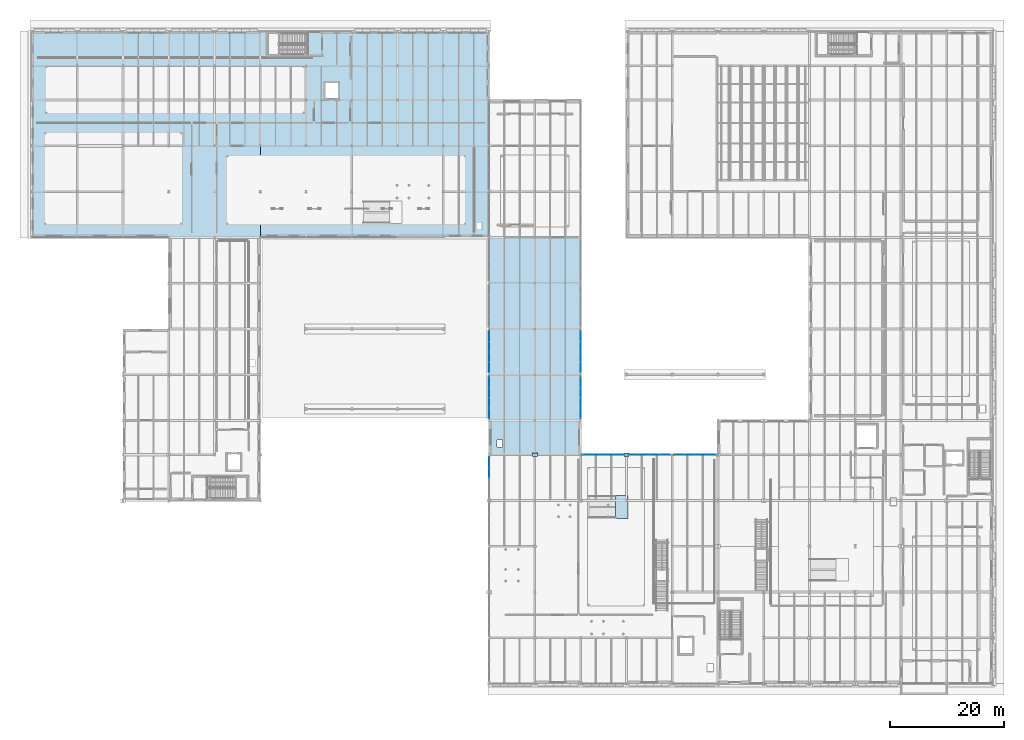
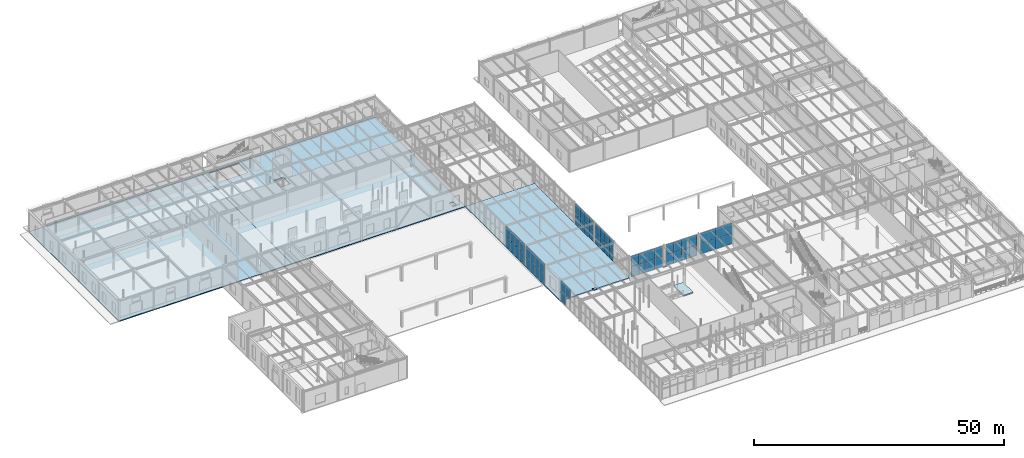
# One storey, part 61 of 129: 61 plates, 4 slabs, 9 elements without a shape of their own.
"""IFC4 building model written with IfcOpenShell, lengths in metres."""

import ifcopenshell
import ifcopenshell.guid

model = None  # the IFC model being written
_history = None  # IfcOwnerHistory: only IFC2X3 demands one
_inside = {}  # id of a spatial element -> (the spatial element, [elements in it])
_under = {}  # id of a project, library or spatial element -> (it, [spatial elements below it])
_declared = {}  # id of a project -> (the project, [libraries it declares])
_typed = {}  # id of a type object -> (the type object, [elements of that type])
_made_of = {}  # id of a material, layer set ... -> (it, [elements and type objects made of it])


def new_model(schema):
    """Start an empty IFC model of exactly this schema.

    Asked for "IFC4X3", IfcOpenShell would pick the latest addendum, in which some entities
    have other attributes; the version numbers below select the first issue.
    IFC2X3 requires an IfcOwnerHistory on every rooted entity: one is made here for all.
    """
    global model, _history
    if schema == "IFC4X3":
        model = ifcopenshell.file(schema_version=(4, 3, 0, 0))
    else:
        model = ifcopenshell.file(schema=schema)
    _inside.clear()
    _under.clear()
    _declared.clear()
    _typed.clear()
    _made_of.clear()
    _history = None
    if model.schema == "IFC2X3":
        org = make("IfcOrganization", Name="unknown")
        user = make(
            "IfcPersonAndOrganization",
            ThePerson=make("IfcPerson", FamilyName="unknown"),
            TheOrganization=org,
        )
        app = make(
            "IfcApplication",
            ApplicationDeveloper=org,
            Version="unknown",
            ApplicationFullName="unknown",
            ApplicationIdentifier="unknown",
        )
        _history = make(
            "IfcOwnerHistory",
            OwningUser=user,
            OwningApplication=app,
            ChangeAction="ADDED",
            CreationDate=0,
        )
    return model


def make(cls, **values):
    """One entity of the class cls with the attributes given. An attribute that is None is left unset."""
    return model.create_entity(
        cls, **{name: value for name, value in values.items() if value is not None}
    )


def rooted(cls, **values):
    """An entity with a GlobalId (a new one), such as an element, a storey or a relation."""
    return make(cls, GlobalId=ifcopenshell.guid.new(), OwnerHistory=_history, **values)


def si_unit(unit_type, name, prefix=None):
    """IfcSIUnit, for example si_unit("LENGTHUNIT", "METRE", prefix="MILLI")."""
    return make("IfcSIUnit", UnitType=unit_type, Prefix=prefix, Name=name)


def assignment(units):
    """IfcUnitAssignment: the units of a project."""
    return None if units is None else make("IfcUnitAssignment", Units=units)


def point(xyz):
    """IfcCartesianPoint."""
    return None if xyz is None else make("IfcCartesianPoint", Coordinates=xyz)


def direction(xyz):
    """IfcDirection."""
    return None if xyz is None else make("IfcDirection", DirectionRatios=xyz)


def frame(location, z_axis=None, x_axis=None):
    """IfcAxis2Placement3D, a coordinate frame: its origin and axes. An axis left out is left unset."""
    return make(
        "IfcAxis2Placement3D",
        Location=point(location),
        Axis=direction(z_axis),
        RefDirection=direction(x_axis),
    )


def frame_2d(location, x_axis=None):
    """IfcAxis2Placement2D, a coordinate frame in the plane: its origin and x axis."""
    return make(
        "IfcAxis2Placement2D", Location=point(location), RefDirection=direction(x_axis)
    )


def origin():
    """The frame at (0, 0, 0) with its axes left unset."""
    return frame((0.0, 0.0, 0.0))


def origin_2d():
    """The frame at (0, 0) in the plane with its x axis left unset."""
    return frame_2d((0.0, 0.0))


def place(relative_to, where):
    """IfcLocalPlacement: puts the frame where relative to a parent placement (None: the world)."""
    return make(
        "IfcLocalPlacement", PlacementRelTo=relative_to, RelativePlacement=where
    )


def context(
    kind, dimensions, precision=None, world=None, true_north=None, identifier=None
):
    """IfcGeometricRepresentationContext, for example the 3D "Model" context."""
    return make(
        "IfcGeometricRepresentationContext",
        ContextIdentifier=identifier,
        ContextType=kind,
        CoordinateSpaceDimension=dimensions,
        Precision=precision,
        WorldCoordinateSystem=world,
        TrueNorth=true_north,
    )


def subcontext(parent, identifier, kind, view, scale=None):
    """IfcGeometricRepresentationSubContext, for example "Body" below "Model"."""
    return make(
        "IfcGeometricRepresentationSubContext",
        ContextIdentifier=identifier,
        ContextType=kind,
        ParentContext=parent,
        TargetScale=scale,
        TargetView=view,
    )


def project(units=None, contexts=None):
    """IfcProject with its units and contexts."""
    return rooted(
        "IfcProject",
        Name="project",
        RepresentationContexts=contexts,
        UnitsInContext=assignment(units),
    )


def spatial(cls, under=None, at=None, **own):
    """A site, building, storey or space (cls), placed at a placement, below another one or the project."""
    s = rooted(cls, ObjectPlacement=at, **own)
    if under is not None:
        _under.setdefault(under.id(), (under, []))[1].append(s)
    return s


def polyline(points):
    """IfcPolyline through the points."""
    return make("IfcPolyline", Points=[point(p) for p in points])


def profile(cls, at=None, kind="AREA", **sizes):
    """A parametric profile (cls). Its sizes go by their IFC names, for example OverallWidth=200.0."""
    return make(cls, ProfileType=kind, Position=at, **sizes)


def rectangle(**sizes):
    """IfcRectangleProfileDef."""
    return profile("IfcRectangleProfileDef", **sizes)


def outline(outer, holes=None, kind="AREA"):
    """IfcArbitraryClosedProfileDef: a profile drawn as a closed curve; with holes, ...WithVoids."""
    if holes is None:
        return make("IfcArbitraryClosedProfileDef", ProfileType=kind, OuterCurve=outer)
    return make(
        "IfcArbitraryProfileDefWithVoids",
        ProfileType=kind,
        OuterCurve=outer,
        InnerCurves=holes,
    )


def extrude(swept, where, along, depth):
    """IfcExtrudedAreaSolid: the profile swept, set in the frame where, extruded along a direction by depth."""
    return make(
        "IfcExtrudedAreaSolid",
        SweptArea=swept,
        Position=where,
        ExtrudedDirection=direction(along),
        Depth=depth,
    )


def shape(context_of_items, identifier, shape_type, items):
    """IfcShapeRepresentation: the items that make up one representation, for example the "Body"."""
    return make(
        "IfcShapeRepresentation",
        ContextOfItems=context_of_items,
        RepresentationIdentifier=identifier,
        RepresentationType=shape_type,
        Items=items,
    )


def material(Name=None, Category=None):
    """IfcMaterial."""
    return make("IfcMaterial", Name=Name, Category=Category)


def layer(
    of_material, thickness, ventilated=None, Name=None, Category=None, Priority=None
):
    """IfcMaterialLayer: one layer of a wall or slab, of a material (None: an air gap)."""
    return make(
        "IfcMaterialLayer",
        Material=of_material,
        LayerThickness=thickness,
        IsVentilated=ventilated,
        Name=Name,
        Category=Category,
        Priority=Priority,
    )


def layer_set(layers, Name=None):
    """IfcMaterialLayerSet."""
    return make("IfcMaterialLayerSet", MaterialLayers=layers, LayerSetName=Name)


def made_of(thing, what):
    """Note that an element or type object is made of a material, layer set ...; save() writes the relation."""
    if what is not None:
        _made_of.setdefault(what.id(), (what, []))[1].append(thing)
    return thing


def type_object(cls, material=None, **own):
    """A type object (cls), such as IfcWallType, which elements share."""
    return made_of(rooted(cls, **own), material)


def element(
    cls,
    number,
    at=None,
    inside=None,
    cuts=None,
    type_object=None,
    material=None,
    context=None,
    identifier="Body",
    shape_type=None,
    held_by="IfcProductDefinitionShape",
    body=None,
    shapes=None,
    **own,
):
    """One element of the class cls, such as IfcWall. Its Tag is "e" and its number.

    at: its placement. inside: the storey or other place that contains it. cuts: it is an
    opening in that element (IfcRelVoidsElement). A single representation is given by context,
    identifier, shape_type and body (its items); several are given by shapes. held_by: the class
    of the entity that holds the representations. save() writes the other relations.
    """
    e = rooted(cls, Tag="e%d" % number, ObjectPlacement=at, **own)
    if body is not None:
        shapes = [shape(context, identifier, shape_type, body)]
    if shapes is not None:
        e.Representation = make(held_by, Representations=shapes)
    if inside is not None:
        _inside.setdefault(inside.id(), (inside, []))[1].append(e)
    if cuts is not None:
        rooted(
            "IfcRelVoidsElement", RelatingBuildingElement=cuts, RelatedOpeningElement=e
        )
    if type_object is not None:
        _typed.setdefault(type_object.id(), (type_object, []))[1].append(e)
    return made_of(e, material)


def aggregate(whole, parts):
    """IfcRelAggregates: a whole, such as a stair, and the parts it consists of."""
    return rooted("IfcRelAggregates", RelatingObject=whole, RelatedObjects=parts)


def save(model, path):
    """Write the relations noted so far, then the file.

    IfcRelAggregates (storeys below a building ...), IfcRelContainedInSpatialStructure (elements
    in a storey), IfcRelDefinesByType, IfcRelAssociatesMaterial and IfcRelDeclares: one each for
    every whole, place, type object, material and project.
    """
    for whole, parts in _under.values():
        aggregate(whole, parts)
    for where, things in _inside.values():
        rooted(
            "IfcRelContainedInSpatialStructure",
            RelatedElements=things,
            RelatingStructure=where,
        )
    for kind, things in _typed.values():
        rooted("IfcRelDefinesByType", RelatedObjects=things, RelatingType=kind)
    for what, things in _made_of.values():
        rooted("IfcRelAssociatesMaterial", RelatedObjects=things, RelatingMaterial=what)
    for by, libraries in _declared.values():
        rooted("IfcRelDeclares", RelatingContext=by, RelatedDefinitions=libraries)
    model.write(path)


model = new_model("IFC4")

# Units and contexts
model_context = context("Model", 3, precision=1e-05, world=origin(), true_north=direction((0.0, 1.0)))
body_context = subcontext(model_context, "Body", "Model", "MODEL_VIEW")
ifc_project = project(units=[si_unit("LENGTHUNIT", "METRE"), si_unit("AREAUNIT", "SQUARE_METRE"), si_unit("VOLUMEUNIT", "CUBIC_METRE"), si_unit("PLANEANGLEUNIT", "RADIAN"), si_unit("MASSUNIT", "GRAM", prefix="KILO")], contexts=[model_context])

# Site, building, storey
site_placement = place(None, origin())
site = spatial("IfcSite", under=ifc_project, at=site_placement, CompositionType="ELEMENT")
building_placement = place(site_placement, origin())
building = spatial("IfcBuilding", under=site, at=building_placement, Name="Sundkrona Museum", CompositionType="ELEMENT")
storey_placement = place(building_placement, origin())
storey = spatial("IfcBuildingStorey", under=building, at=storey_placement, Name="L00", CompositionType="ELEMENT", Elevation=0.0)

# Plates
ifc_material_1 = material(Name="Steel S355J2", Category="steel")
ifc_layer_1 = layer(ifc_material_1, 0.054931640625)
ifc_layer_set_1 = layer_set([ifc_layer_1], Name="Steel S355J2")
plate_type_1 = type_object("IfcPlateType", Name="BP-1", PredefinedType="USERDEFINED", material=ifc_layer_set_1)
for number, where, z_axis, x_axis, name in (
    (1, (88.0, 40.0, 0.0), (0.0, 0.0, 1.0), (1.0, 0.0, 0.0), "Column Base Plate F/12"),
    (2, (104.0, 40.0, 0.0), (0.0, 0.0, 1.0), (1.0, 0.0, 0.0), "Column Base Plate F/14"),
):
    element("IfcPlate", number, at=place(storey_placement, frame(where, z_axis=z_axis, x_axis=x_axis)), inside=storey, type_object=plate_type_1, Name=name, ObjectType="GUSSET PLATE", PredefinedType="USERDEFINED", context=body_context, shape_type="SweptSolid", body=[
        extrude(rectangle(XDim=0.840087890625, YDim=0.60009765625, at=origin_2d()), origin(), (0.0, 0.0, 1.0), 0.054931640625),
    ])

# Curtain wall, plates
ifc_material_2 = material(Name="Unitised Aluminium-Steel and Ceramic-Clad Curtain Walling", Category="steel")
curtain_wall_type_1 = type_object("IfcCurtainWallType", Name="CW-AT-72x50", PredefinedType="NOTDEFINED", material=ifc_material_2)
curtain_wall_1_placement = place(storey_placement, origin())
curtain_wall_1 = element("IfcCurtainWall", 3, at=curtain_wall_1_placement, inside=storey, type_object=curtain_wall_type_1, Name="L00 Curtain Wall CW-L00-024", PredefinedType="NOTDEFINED")
ifc_material_3 = material(Name="Triple Low-E Vision Glazing 32 mm", Category="glass")
ifc_layer_2 = layer(ifc_material_3, 0.031982421875)
ifc_layer_set_2 = layer_set([ifc_layer_2], Name="Triple Low-E Vision Glazing 32 mm")
plate_type_2 = type_object("IfcPlateType", Name="PN-GL-01", PredefinedType="CURTAIN_PANEL", material=ifc_layer_set_2)
plate_1_placement = place(storey_placement, frame((80.0, 36.89990234375, 2.56982421875), z_axis=(0.0, 0.0, 1.0), x_axis=(0.0, 1.0, 0.0)))
plate_1 = element("IfcPlate", 4, at=plate_1_placement, type_object=plate_type_2, Name="CW-L00-024 Panel 06", PredefinedType="CURTAIN_PANEL", context=body_context, shape_type="SweptSolid", body=[
    extrude(rectangle(XDim=1.800048828125, YDim=0.031982421875, at=origin_2d()), origin(), (0.0, 0.0, 1.0), 2.573974609375),
])
plate_2_placement = place(storey_placement, frame((80.0, 38.699951171875, -0.00390625), z_axis=(0.0, 0.0, 1.0), x_axis=(0.0, 1.0, 0.0)))
plate_2 = element("IfcPlate", 5, at=plate_2_placement, type_object=plate_type_2, Name="CW-L00-024 Panel 07", PredefinedType="CURTAIN_PANEL", context=body_context, shape_type="SweptSolid", body=[
    extrude(rectangle(XDim=1.800048828125, YDim=0.031982421875, at=origin_2d()), origin(), (0.0, 0.0, 1.0), 2.573974609375),
])
plate_3_placement = place(storey_placement, frame((80.0, 38.699951171875, 2.56982421875), z_axis=(0.0, 0.0, 1.0), x_axis=(0.0, 1.0, 0.0)))
plate_3 = element("IfcPlate", 6, at=plate_3_placement, type_object=plate_type_2, Name="CW-L00-024 Panel 08", PredefinedType="CURTAIN_PANEL", context=body_context, shape_type="SweptSolid", body=[
    extrude(rectangle(XDim=1.800048828125, YDim=0.031982421875, at=origin_2d()), origin(), (0.0, 0.0, 1.0), 2.573974609375),
])
aggregate(curtain_wall_1, [plate_1, plate_2, plate_3])

curtain_wall_2_placement = place(storey_placement, origin())
curtain_wall_2 = element("IfcCurtainWall", 7, at=curtain_wall_2_placement, inside=storey, type_object=curtain_wall_type_1, Name="L00 Curtain Wall CW-L00-025", PredefinedType="NOTDEFINED")
plate_4_placement = place(storey_placement, frame((97.300048828125, 40.0, -0.00390625), z_axis=(0.0, 0.0, 1.0), x_axis=(1.0, 0.0, 0.0)))
plate_4 = element("IfcPlate", 8, at=plate_4_placement, type_object=plate_type_2, Name="CW-L00-025 Panel 01", PredefinedType="CURTAIN_PANEL", context=body_context, shape_type="SweptSolid", body=[
    extrude(rectangle(XDim=1.800048828125, YDim=0.031982421875, at=origin_2d()), origin(), (0.0, 0.0, 1.0), 2.573974609375),
])
plate_5_placement = place(storey_placement, frame((97.300048828125, 40.0, 2.56982421875), z_axis=(0.0, 0.0, 1.0), x_axis=(1.0, 0.0, 0.0)))
plate_5 = element("IfcPlate", 9, at=plate_5_placement, type_object=plate_type_2, Name="CW-L00-025 Panel 02", PredefinedType="CURTAIN_PANEL", context=body_context, shape_type="SweptSolid", body=[
    extrude(rectangle(XDim=1.800048828125, YDim=0.031982421875, at=origin_2d()), origin(), (0.0, 0.0, 1.0), 2.573974609375),
])
plate_6_placement = place(storey_placement, frame((99.10009765625, 40.0, -0.00390625), z_axis=(0.0, 0.0, 1.0), x_axis=(1.0, 0.0, 0.0)))
plate_6 = element("IfcPlate", 10, at=plate_6_placement, type_object=plate_type_2, Name="CW-L00-025 Panel 03", PredefinedType="CURTAIN_PANEL", context=body_context, shape_type="SweptSolid", body=[
    extrude(rectangle(XDim=1.800048828125, YDim=0.031982421875, at=origin_2d()), origin(), (0.0, 0.0, 1.0), 2.573974609375),
])
plate_7_placement = place(storey_placement, frame((99.10009765625, 40.0, 2.56982421875), z_axis=(0.0, 0.0, 1.0), x_axis=(1.0, 0.0, 0.0)))
plate_7 = element("IfcPlate", 11, at=plate_7_placement, type_object=plate_type_2, Name="CW-L00-025 Panel 04", PredefinedType="CURTAIN_PANEL", context=body_context, shape_type="SweptSolid", body=[
    extrude(rectangle(XDim=1.800048828125, YDim=0.031982421875, at=origin_2d()), origin(), (0.0, 0.0, 1.0), 2.573974609375),
])
plate_8_placement = place(storey_placement, frame((100.89990234375, 40.0, -0.00390625), z_axis=(0.0, 0.0, 1.0), x_axis=(1.0, 0.0, 0.0)))
plate_8 = element("IfcPlate", 12, at=plate_8_placement, type_object=plate_type_2, Name="CW-L00-025 Panel 05", PredefinedType="CURTAIN_PANEL", context=body_context, shape_type="SweptSolid", body=[
    extrude(rectangle(XDim=1.800048828125, YDim=0.031982421875, at=origin_2d()), origin(), (0.0, 0.0, 1.0), 2.573974609375),
])
plate_9_placement = place(storey_placement, frame((100.89990234375, 40.0, 2.56982421875), z_axis=(0.0, 0.0, 1.0), x_axis=(1.0, 0.0, 0.0)))
plate_9 = element("IfcPlate", 13, at=plate_9_placement, type_object=plate_type_2, Name="CW-L00-025 Panel 06", PredefinedType="CURTAIN_PANEL", context=body_context, shape_type="SweptSolid", body=[
    extrude(rectangle(XDim=1.800048828125, YDim=0.031982421875, at=origin_2d()), origin(), (0.0, 0.0, 1.0), 2.573974609375),
])
plate_10_placement = place(storey_placement, frame((102.699951171875, 40.0, -0.00390625), z_axis=(0.0, 0.0, 1.0), x_axis=(1.0, 0.0, 0.0)))
plate_10 = element("IfcPlate", 14, at=plate_10_placement, type_object=plate_type_2, Name="CW-L00-025 Panel 07", PredefinedType="CURTAIN_PANEL", context=body_context, shape_type="SweptSolid", body=[
    extrude(rectangle(XDim=1.800048828125, YDim=0.031982421875, at=origin_2d()), origin(), (0.0, 0.0, 1.0), 2.573974609375),
])
plate_11_placement = place(storey_placement, frame((102.699951171875, 40.0, 2.56982421875), z_axis=(0.0, 0.0, 1.0), x_axis=(1.0, 0.0, 0.0)))
plate_11 = element("IfcPlate", 15, at=plate_11_placement, type_object=plate_type_2, Name="CW-L00-025 Panel 08", PredefinedType="CURTAIN_PANEL", context=body_context, shape_type="SweptSolid", body=[
    extrude(rectangle(XDim=1.800048828125, YDim=0.031982421875, at=origin_2d()), origin(), (0.0, 0.0, 1.0), 2.573974609375),
])
aggregate(curtain_wall_2, [plate_4, plate_5, plate_6, plate_7, plate_8, plate_9, plate_10, plate_11])

curtain_wall_3_placement = place(storey_placement, origin())
curtain_wall_3 = element("IfcCurtainWall", 16, at=curtain_wall_3_placement, inside=storey, type_object=curtain_wall_type_1, Name="L00 Curtain Wall CW-L00-026", PredefinedType="NOTDEFINED")
plate_12_placement = place(storey_placement, frame((105.300048828125, 40.0, -0.00390625), z_axis=(0.0, 0.0, 1.0), x_axis=(1.0, 0.0, 0.0)))
plate_12 = element("IfcPlate", 17, at=plate_12_placement, type_object=plate_type_2, Name="CW-L00-026 Panel 01", PredefinedType="CURTAIN_PANEL", context=body_context, shape_type="SweptSolid", body=[
    extrude(rectangle(XDim=1.800048828125, YDim=0.031982421875, at=origin_2d()), origin(), (0.0, 0.0, 1.0), 2.573974609375),
])
plate_13_placement = place(storey_placement, frame((105.300048828125, 40.0, 2.56982421875), z_axis=(0.0, 0.0, 1.0), x_axis=(1.0, 0.0, 0.0)))
plate_13 = element("IfcPlate", 18, at=plate_13_placement, type_object=plate_type_2, Name="CW-L00-026 Panel 02", PredefinedType="CURTAIN_PANEL", context=body_context, shape_type="SweptSolid", body=[
    extrude(rectangle(XDim=1.800048828125, YDim=0.031982421875, at=origin_2d()), origin(), (0.0, 0.0, 1.0), 2.573974609375),
])
plate_14_placement = place(storey_placement, frame((107.10009765625, 40.0, -0.00390625), z_axis=(0.0, 0.0, 1.0), x_axis=(1.0, 0.0, 0.0)))
plate_14 = element("IfcPlate", 19, at=plate_14_placement, type_object=plate_type_2, Name="CW-L00-026 Panel 03", PredefinedType="CURTAIN_PANEL", context=body_context, shape_type="SweptSolid", body=[
    extrude(rectangle(XDim=1.800048828125, YDim=0.031982421875, at=origin_2d()), origin(), (0.0, 0.0, 1.0), 2.573974609375),
])
plate_15_placement = place(storey_placement, frame((107.10009765625, 40.0, 2.56982421875), z_axis=(0.0, 0.0, 1.0), x_axis=(1.0, 0.0, 0.0)))
plate_15 = element("IfcPlate", 20, at=plate_15_placement, type_object=plate_type_2, Name="CW-L00-026 Panel 04", PredefinedType="CURTAIN_PANEL", context=body_context, shape_type="SweptSolid", body=[
    extrude(rectangle(XDim=1.800048828125, YDim=0.031982421875, at=origin_2d()), origin(), (0.0, 0.0, 1.0), 2.573974609375),
])
plate_16_placement = place(storey_placement, frame((108.89990234375, 40.0, -0.00390625), z_axis=(0.0, 0.0, 1.0), x_axis=(1.0, 0.0, 0.0)))
plate_16 = element("IfcPlate", 21, at=plate_16_placement, type_object=plate_type_2, Name="CW-L00-026 Panel 05", PredefinedType="CURTAIN_PANEL", context=body_context, shape_type="SweptSolid", body=[
    extrude(rectangle(XDim=1.800048828125, YDim=0.031982421875, at=origin_2d()), origin(), (0.0, 0.0, 1.0), 2.573974609375),
])
plate_17_placement = place(storey_placement, frame((108.89990234375, 40.0, 2.56982421875), z_axis=(0.0, 0.0, 1.0), x_axis=(1.0, 0.0, 0.0)))
plate_17 = element("IfcPlate", 22, at=plate_17_placement, type_object=plate_type_2, Name="CW-L00-026 Panel 06", PredefinedType="CURTAIN_PANEL", context=body_context, shape_type="SweptSolid", body=[
    extrude(rectangle(XDim=1.800048828125, YDim=0.031982421875, at=origin_2d()), origin(), (0.0, 0.0, 1.0), 2.573974609375),
])
plate_18_placement = place(storey_placement, frame((110.699951171875, 40.0, -0.00390625), z_axis=(0.0, 0.0, 1.0), x_axis=(1.0, 0.0, 0.0)))
plate_18 = element("IfcPlate", 23, at=plate_18_placement, type_object=plate_type_2, Name="CW-L00-026 Panel 07", PredefinedType="CURTAIN_PANEL", context=body_context, shape_type="SweptSolid", body=[
    extrude(rectangle(XDim=1.800048828125, YDim=0.031982421875, at=origin_2d()), origin(), (0.0, 0.0, 1.0), 2.573974609375),
])
plate_19_placement = place(storey_placement, frame((110.699951171875, 40.0, 2.56982421875), z_axis=(0.0, 0.0, 1.0), x_axis=(1.0, 0.0, 0.0)))
plate_19 = element("IfcPlate", 24, at=plate_19_placement, type_object=plate_type_2, Name="CW-L00-026 Panel 08", PredefinedType="CURTAIN_PANEL", context=body_context, shape_type="SweptSolid", body=[
    extrude(rectangle(XDim=1.800048828125, YDim=0.031982421875, at=origin_2d()), origin(), (0.0, 0.0, 1.0), 2.573974609375),
])
aggregate(curtain_wall_3, [plate_12, plate_13, plate_14, plate_15, plate_16, plate_17, plate_18, plate_19])

curtain_wall_4_placement = place(storey_placement, origin())
curtain_wall_4 = element("IfcCurtainWall", 25, at=curtain_wall_4_placement, inside=storey, type_object=curtain_wall_type_1, Name="L00 Curtain Wall CW-L00-027", PredefinedType="NOTDEFINED")
plate_20_placement = place(storey_placement, frame((113.300048828125, 40.0, -0.00390625), z_axis=(0.0, 0.0, 1.0), x_axis=(1.0, 0.0, 0.0)))
plate_20 = element("IfcPlate", 26, at=plate_20_placement, type_object=plate_type_2, Name="CW-L00-027 Panel 01", PredefinedType="CURTAIN_PANEL", context=body_context, shape_type="SweptSolid", body=[
    extrude(rectangle(XDim=1.800048828125, YDim=0.031982421875, at=origin_2d()), origin(), (0.0, 0.0, 1.0), 2.573974609375),
])
plate_21_placement = place(storey_placement, frame((113.300048828125, 40.0, 2.56982421875), z_axis=(0.0, 0.0, 1.0), x_axis=(1.0, 0.0, 0.0)))
plate_21 = element("IfcPlate", 27, at=plate_21_placement, type_object=plate_type_2, Name="CW-L00-027 Panel 02", PredefinedType="CURTAIN_PANEL", context=body_context, shape_type="SweptSolid", body=[
    extrude(rectangle(XDim=1.800048828125, YDim=0.031982421875, at=origin_2d()), origin(), (0.0, 0.0, 1.0), 2.573974609375),
])
plate_22_placement = place(storey_placement, frame((115.10009765625, 40.0, -0.00390625), z_axis=(0.0, 0.0, 1.0), x_axis=(1.0, 0.0, 0.0)))
plate_22 = element("IfcPlate", 28, at=plate_22_placement, type_object=plate_type_2, Name="CW-L00-027 Panel 03", PredefinedType="CURTAIN_PANEL", context=body_context, shape_type="SweptSolid", body=[
    extrude(rectangle(XDim=1.800048828125, YDim=0.031982421875, at=origin_2d()), origin(), (0.0, 0.0, 1.0), 2.573974609375),
])
plate_23_placement = place(storey_placement, frame((115.10009765625, 40.0, 2.56982421875), z_axis=(0.0, 0.0, 1.0), x_axis=(1.0, 0.0, 0.0)))
plate_23 = element("IfcPlate", 29, at=plate_23_placement, type_object=plate_type_2, Name="CW-L00-027 Panel 04", PredefinedType="CURTAIN_PANEL", context=body_context, shape_type="SweptSolid", body=[
    extrude(rectangle(XDim=1.800048828125, YDim=0.031982421875, at=origin_2d()), origin(), (0.0, 0.0, 1.0), 2.573974609375),
])
plate_24_placement = place(storey_placement, frame((116.89990234375, 40.0, -0.00390625), z_axis=(0.0, 0.0, 1.0), x_axis=(1.0, 0.0, 0.0)))
plate_24 = element("IfcPlate", 30, at=plate_24_placement, type_object=plate_type_2, Name="CW-L00-027 Panel 05", PredefinedType="CURTAIN_PANEL", context=body_context, shape_type="SweptSolid", body=[
    extrude(rectangle(XDim=1.800048828125, YDim=0.031982421875, at=origin_2d()), origin(), (0.0, 0.0, 1.0), 2.573974609375),
])
plate_25_placement = place(storey_placement, frame((116.89990234375, 40.0, 2.56982421875), z_axis=(0.0, 0.0, 1.0), x_axis=(1.0, 0.0, 0.0)))
plate_25 = element("IfcPlate", 31, at=plate_25_placement, type_object=plate_type_2, Name="CW-L00-027 Panel 06", PredefinedType="CURTAIN_PANEL", context=body_context, shape_type="SweptSolid", body=[
    extrude(rectangle(XDim=1.800048828125, YDim=0.031982421875, at=origin_2d()), origin(), (0.0, 0.0, 1.0), 2.573974609375),
])
plate_26_placement = place(storey_placement, frame((118.699951171875, 40.0, -0.00390625), z_axis=(0.0, 0.0, 1.0), x_axis=(1.0, 0.0, 0.0)))
plate_26 = element("IfcPlate", 32, at=plate_26_placement, type_object=plate_type_2, Name="CW-L00-027 Panel 07", PredefinedType="CURTAIN_PANEL", context=body_context, shape_type="SweptSolid", body=[
    extrude(rectangle(XDim=1.800048828125, YDim=0.031982421875, at=origin_2d()), origin(), (0.0, 0.0, 1.0), 2.573974609375),
])
plate_27_placement = place(storey_placement, frame((118.699951171875, 40.0, 2.56982421875), z_axis=(0.0, 0.0, 1.0), x_axis=(1.0, 0.0, 0.0)))
plate_27 = element("IfcPlate", 33, at=plate_27_placement, type_object=plate_type_2, Name="CW-L00-027 Panel 08", PredefinedType="CURTAIN_PANEL", context=body_context, shape_type="SweptSolid", body=[
    extrude(rectangle(XDim=1.800048828125, YDim=0.031982421875, at=origin_2d()), origin(), (0.0, 0.0, 1.0), 2.573974609375),
])
aggregate(curtain_wall_4, [plate_20, plate_21, plate_22, plate_23, plate_24, plate_25, plate_26, plate_27])

curtain_wall_type_2 = type_object("IfcCurtainWallType", Name="CW-PS-74x48", PredefinedType="NOTDEFINED", material=ifc_material_2)
curtain_wall_5_placement = place(storey_placement, origin())
curtain_wall_5 = element("IfcCurtainWall", 34, at=curtain_wall_5_placement, inside=storey, type_object=curtain_wall_type_2, Name="L00 Curtain Wall CW-L00-094", PredefinedType="NOTDEFINED")
plate_28_placement = place(storey_placement, frame((80.0, 47.300048828125, -0.00390625), z_axis=(0.0, 0.0, 1.0), x_axis=(0.0, 1.0, 0.0)))
plate_28 = element("IfcPlate", 35, at=plate_28_placement, type_object=plate_type_2, Name="CW-L00-094 Panel 01", PredefinedType="CURTAIN_PANEL", context=body_context, shape_type="SweptSolid", body=[
    extrude(rectangle(XDim=1.800048828125, YDim=0.031982421875, at=origin_2d()), origin(), (0.0, 0.0, 1.0), 2.573974609375),
])
plate_29_placement = place(storey_placement, frame((80.0, 47.300048828125, 2.56982421875), z_axis=(0.0, 0.0, 1.0), x_axis=(0.0, 1.0, 0.0)))
plate_29 = element("IfcPlate", 36, at=plate_29_placement, type_object=plate_type_2, Name="CW-L00-094 Panel 02", PredefinedType="CURTAIN_PANEL", context=body_context, shape_type="SweptSolid", body=[
    extrude(rectangle(XDim=1.800048828125, YDim=0.031982421875, at=origin_2d()), origin(), (0.0, 0.0, 1.0), 2.573974609375),
])
plate_30_placement = place(storey_placement, frame((80.0, 49.10009765625, -0.00390625), z_axis=(0.0, 0.0, 1.0), x_axis=(0.0, 1.0, 0.0)))
plate_30 = element("IfcPlate", 37, at=plate_30_placement, type_object=plate_type_2, Name="CW-L00-094 Panel 03", PredefinedType="CURTAIN_PANEL", context=body_context, shape_type="SweptSolid", body=[
    extrude(rectangle(XDim=1.800048828125, YDim=0.031982421875, at=origin_2d()), origin(), (0.0, 0.0, 1.0), 2.573974609375),
])
plate_31_placement = place(storey_placement, frame((80.0, 49.10009765625, 2.56982421875), z_axis=(0.0, 0.0, 1.0), x_axis=(0.0, 1.0, 0.0)))
plate_31 = element("IfcPlate", 38, at=plate_31_placement, type_object=plate_type_2, Name="CW-L00-094 Panel 04", PredefinedType="CURTAIN_PANEL", context=body_context, shape_type="SweptSolid", body=[
    extrude(rectangle(XDim=1.800048828125, YDim=0.031982421875, at=origin_2d()), origin(), (0.0, 0.0, 1.0), 2.573974609375),
])
plate_32_placement = place(storey_placement, frame((80.0, 50.89990234375, -0.00390625), z_axis=(0.0, 0.0, 1.0), x_axis=(0.0, 1.0, 0.0)))
plate_32 = element("IfcPlate", 39, at=plate_32_placement, type_object=plate_type_2, Name="CW-L00-094 Panel 05", PredefinedType="CURTAIN_PANEL", context=body_context, shape_type="SweptSolid", body=[
    extrude(rectangle(XDim=1.800048828125, YDim=0.031982421875, at=origin_2d()), origin(), (0.0, 0.0, 1.0), 2.573974609375),
])
plate_33_placement = place(storey_placement, frame((80.0, 50.89990234375, 2.56982421875), z_axis=(0.0, 0.0, 1.0), x_axis=(0.0, 1.0, 0.0)))
plate_33 = element("IfcPlate", 40, at=plate_33_placement, type_object=plate_type_2, Name="CW-L00-094 Panel 06", PredefinedType="CURTAIN_PANEL", context=body_context, shape_type="SweptSolid", body=[
    extrude(rectangle(XDim=1.800048828125, YDim=0.031982421875, at=origin_2d()), origin(), (0.0, 0.0, 1.0), 2.573974609375),
])
plate_34_placement = place(storey_placement, frame((80.0, 52.699951171875, -0.00390625), z_axis=(0.0, 0.0, 1.0), x_axis=(0.0, 1.0, 0.0)))
plate_34 = element("IfcPlate", 41, at=plate_34_placement, type_object=plate_type_2, Name="CW-L00-094 Panel 07", PredefinedType="CURTAIN_PANEL", context=body_context, shape_type="SweptSolid", body=[
    extrude(rectangle(XDim=1.800048828125, YDim=0.031982421875, at=origin_2d()), origin(), (0.0, 0.0, 1.0), 2.573974609375),
])
plate_35_placement = place(storey_placement, frame((80.0, 52.699951171875, 2.56982421875), z_axis=(0.0, 0.0, 1.0), x_axis=(0.0, 1.0, 0.0)))
plate_35 = element("IfcPlate", 42, at=plate_35_placement, type_object=plate_type_2, Name="CW-L00-094 Panel 08", PredefinedType="CURTAIN_PANEL", context=body_context, shape_type="SweptSolid", body=[
    extrude(rectangle(XDim=1.800048828125, YDim=0.031982421875, at=origin_2d()), origin(), (0.0, 0.0, 1.0), 2.573974609375),
])
aggregate(curtain_wall_5, [plate_28, plate_29, plate_30, plate_31, plate_32, plate_33, plate_34, plate_35])

curtain_wall_6_placement = place(storey_placement, origin())
curtain_wall_6 = element("IfcCurtainWall", 43, at=curtain_wall_6_placement, inside=storey, type_object=curtain_wall_type_2, Name="L00 Curtain Wall CW-L00-095", PredefinedType="NOTDEFINED")
plate_36_placement = place(storey_placement, frame((96.0, 47.300048828125, -0.00390625), z_axis=(0.0, 0.0, 1.0), x_axis=(0.0, 1.0, 0.0)))
plate_36 = element("IfcPlate", 44, at=plate_36_placement, type_object=plate_type_2, Name="CW-L00-095 Panel 01", PredefinedType="CURTAIN_PANEL", context=body_context, shape_type="SweptSolid", body=[
    extrude(rectangle(XDim=1.800048828125, YDim=0.031982421875, at=origin_2d()), origin(), (0.0, 0.0, 1.0), 2.573974609375),
])
plate_37_placement = place(storey_placement, frame((96.0, 47.300048828125, 2.56982421875), z_axis=(0.0, 0.0, 1.0), x_axis=(0.0, 1.0, 0.0)))
plate_37 = element("IfcPlate", 45, at=plate_37_placement, type_object=plate_type_2, Name="CW-L00-095 Panel 02", PredefinedType="CURTAIN_PANEL", context=body_context, shape_type="SweptSolid", body=[
    extrude(rectangle(XDim=1.800048828125, YDim=0.031982421875, at=origin_2d()), origin(), (0.0, 0.0, 1.0), 2.573974609375),
])
plate_38_placement = place(storey_placement, frame((96.0, 49.10009765625, -0.00390625), z_axis=(0.0, 0.0, 1.0), x_axis=(0.0, 1.0, 0.0)))
plate_38 = element("IfcPlate", 46, at=plate_38_placement, type_object=plate_type_2, Name="CW-L00-095 Panel 03", PredefinedType="CURTAIN_PANEL", context=body_context, shape_type="SweptSolid", body=[
    extrude(rectangle(XDim=1.800048828125, YDim=0.031982421875, at=origin_2d()), origin(), (0.0, 0.0, 1.0), 2.573974609375),
])
plate_39_placement = place(storey_placement, frame((96.0, 49.10009765625, 2.56982421875), z_axis=(0.0, 0.0, 1.0), x_axis=(0.0, 1.0, 0.0)))
plate_39 = element("IfcPlate", 47, at=plate_39_placement, type_object=plate_type_2, Name="CW-L00-095 Panel 04", PredefinedType="CURTAIN_PANEL", context=body_context, shape_type="SweptSolid", body=[
    extrude(rectangle(XDim=1.800048828125, YDim=0.031982421875, at=origin_2d()), origin(), (0.0, 0.0, 1.0), 2.573974609375),
])
plate_40_placement = place(storey_placement, frame((96.0, 50.89990234375, -0.00390625), z_axis=(0.0, 0.0, 1.0), x_axis=(0.0, 1.0, 0.0)))
plate_40 = element("IfcPlate", 48, at=plate_40_placement, type_object=plate_type_2, Name="CW-L00-095 Panel 05", PredefinedType="CURTAIN_PANEL", context=body_context, shape_type="SweptSolid", body=[
    extrude(rectangle(XDim=1.800048828125, YDim=0.031982421875, at=origin_2d()), origin(), (0.0, 0.0, 1.0), 2.573974609375),
])
plate_41_placement = place(storey_placement, frame((96.0, 50.89990234375, 2.56982421875), z_axis=(0.0, 0.0, 1.0), x_axis=(0.0, 1.0, 0.0)))
plate_41 = element("IfcPlate", 49, at=plate_41_placement, type_object=plate_type_2, Name="CW-L00-095 Panel 06", PredefinedType="CURTAIN_PANEL", context=body_context, shape_type="SweptSolid", body=[
    extrude(rectangle(XDim=1.800048828125, YDim=0.031982421875, at=origin_2d()), origin(), (0.0, 0.0, 1.0), 2.573974609375),
])
plate_42_placement = place(storey_placement, frame((96.0, 52.699951171875, -0.00390625), z_axis=(0.0, 0.0, 1.0), x_axis=(0.0, 1.0, 0.0)))
plate_42 = element("IfcPlate", 50, at=plate_42_placement, type_object=plate_type_2, Name="CW-L00-095 Panel 07", PredefinedType="CURTAIN_PANEL", context=body_context, shape_type="SweptSolid", body=[
    extrude(rectangle(XDim=1.800048828125, YDim=0.031982421875, at=origin_2d()), origin(), (0.0, 0.0, 1.0), 2.573974609375),
])
plate_43_placement = place(storey_placement, frame((96.0, 52.699951171875, 2.56982421875), z_axis=(0.0, 0.0, 1.0), x_axis=(0.0, 1.0, 0.0)))
plate_43 = element("IfcPlate", 51, at=plate_43_placement, type_object=plate_type_2, Name="CW-L00-095 Panel 08", PredefinedType="CURTAIN_PANEL", context=body_context, shape_type="SweptSolid", body=[
    extrude(rectangle(XDim=1.800048828125, YDim=0.031982421875, at=origin_2d()), origin(), (0.0, 0.0, 1.0), 2.573974609375),
])
aggregate(curtain_wall_6, [plate_36, plate_37, plate_38, plate_39, plate_40, plate_41, plate_42, plate_43])

curtain_wall_7_placement = place(storey_placement, origin())
curtain_wall_7 = element("IfcCurtainWall", 52, at=curtain_wall_7_placement, inside=storey, type_object=curtain_wall_type_2, Name="L00 Curtain Wall CW-L00-096", PredefinedType="NOTDEFINED")
plate_44_placement = place(storey_placement, frame((80.0, 55.300048828125, -0.00390625), z_axis=(0.0, 0.0, 1.0), x_axis=(0.0, 1.0, 0.0)))
plate_44 = element("IfcPlate", 53, at=plate_44_placement, type_object=plate_type_2, Name="CW-L00-096 Panel 01", PredefinedType="CURTAIN_PANEL", context=body_context, shape_type="SweptSolid", body=[
    extrude(rectangle(XDim=1.800048828125, YDim=0.031982421875, at=origin_2d()), origin(), (0.0, 0.0, 1.0), 2.573974609375),
])
plate_45_placement = place(storey_placement, frame((80.0, 55.300048828125, 2.56982421875), z_axis=(0.0, 0.0, 1.0), x_axis=(0.0, 1.0, 0.0)))
plate_45 = element("IfcPlate", 54, at=plate_45_placement, type_object=plate_type_2, Name="CW-L00-096 Panel 02", PredefinedType="CURTAIN_PANEL", context=body_context, shape_type="SweptSolid", body=[
    extrude(rectangle(XDim=1.800048828125, YDim=0.031982421875, at=origin_2d()), origin(), (0.0, 0.0, 1.0), 2.573974609375),
])
plate_46_placement = place(storey_placement, frame((80.0, 57.10009765625, -0.00390625), z_axis=(0.0, 0.0, 1.0), x_axis=(0.0, 1.0, 0.0)))
plate_46 = element("IfcPlate", 55, at=plate_46_placement, type_object=plate_type_2, Name="CW-L00-096 Panel 03", PredefinedType="CURTAIN_PANEL", context=body_context, shape_type="SweptSolid", body=[
    extrude(rectangle(XDim=1.800048828125, YDim=0.031982421875, at=origin_2d()), origin(), (0.0, 0.0, 1.0), 2.573974609375),
])
plate_47_placement = place(storey_placement, frame((80.0, 57.10009765625, 2.56982421875), z_axis=(0.0, 0.0, 1.0), x_axis=(0.0, 1.0, 0.0)))
plate_47 = element("IfcPlate", 56, at=plate_47_placement, type_object=plate_type_2, Name="CW-L00-096 Panel 04", PredefinedType="CURTAIN_PANEL", context=body_context, shape_type="SweptSolid", body=[
    extrude(rectangle(XDim=1.800048828125, YDim=0.031982421875, at=origin_2d()), origin(), (0.0, 0.0, 1.0), 2.573974609375),
])
plate_48_placement = place(storey_placement, frame((80.0, 58.89990234375, -0.00390625), z_axis=(0.0, 0.0, 1.0), x_axis=(0.0, 1.0, 0.0)))
plate_48 = element("IfcPlate", 57, at=plate_48_placement, type_object=plate_type_2, Name="CW-L00-096 Panel 05", PredefinedType="CURTAIN_PANEL", context=body_context, shape_type="SweptSolid", body=[
    extrude(rectangle(XDim=1.800048828125, YDim=0.031982421875, at=origin_2d()), origin(), (0.0, 0.0, 1.0), 2.573974609375),
])
plate_49_placement = place(storey_placement, frame((80.0, 58.89990234375, 2.56982421875), z_axis=(0.0, 0.0, 1.0), x_axis=(0.0, 1.0, 0.0)))
plate_49 = element("IfcPlate", 58, at=plate_49_placement, type_object=plate_type_2, Name="CW-L00-096 Panel 06", PredefinedType="CURTAIN_PANEL", context=body_context, shape_type="SweptSolid", body=[
    extrude(rectangle(XDim=1.800048828125, YDim=0.031982421875, at=origin_2d()), origin(), (0.0, 0.0, 1.0), 2.573974609375),
])
plate_50_placement = place(storey_placement, frame((80.0, 60.699951171875, -0.00390625), z_axis=(0.0, 0.0, 1.0), x_axis=(0.0, 1.0, 0.0)))
plate_50 = element("IfcPlate", 59, at=plate_50_placement, type_object=plate_type_2, Name="CW-L00-096 Panel 07", PredefinedType="CURTAIN_PANEL", context=body_context, shape_type="SweptSolid", body=[
    extrude(rectangle(XDim=1.800048828125, YDim=0.031982421875, at=origin_2d()), origin(), (0.0, 0.0, 1.0), 2.573974609375),
])
plate_51_placement = place(storey_placement, frame((80.0, 60.699951171875, 2.56982421875), z_axis=(0.0, 0.0, 1.0), x_axis=(0.0, 1.0, 0.0)))
plate_51 = element("IfcPlate", 60, at=plate_51_placement, type_object=plate_type_2, Name="CW-L00-096 Panel 08", PredefinedType="CURTAIN_PANEL", context=body_context, shape_type="SweptSolid", body=[
    extrude(rectangle(XDim=1.800048828125, YDim=0.031982421875, at=origin_2d()), origin(), (0.0, 0.0, 1.0), 2.573974609375),
])
aggregate(curtain_wall_7, [plate_44, plate_45, plate_46, plate_47, plate_48, plate_49, plate_50, plate_51])

curtain_wall_8_placement = place(storey_placement, origin())
curtain_wall_8 = element("IfcCurtainWall", 61, at=curtain_wall_8_placement, inside=storey, type_object=curtain_wall_type_2, Name="L00 Curtain Wall CW-L00-097", PredefinedType="NOTDEFINED")
plate_52_placement = place(storey_placement, frame((96.0, 55.300048828125, -0.00390625), z_axis=(0.0, 0.0, 1.0), x_axis=(0.0, 1.0, 0.0)))
plate_52 = element("IfcPlate", 62, at=plate_52_placement, type_object=plate_type_2, Name="CW-L00-097 Panel 01", PredefinedType="CURTAIN_PANEL", context=body_context, shape_type="SweptSolid", body=[
    extrude(rectangle(XDim=1.800048828125, YDim=0.031982421875, at=origin_2d()), origin(), (0.0, 0.0, 1.0), 2.573974609375),
])
plate_53_placement = place(storey_placement, frame((96.0, 55.300048828125, 2.56982421875), z_axis=(0.0, 0.0, 1.0), x_axis=(0.0, 1.0, 0.0)))
plate_53 = element("IfcPlate", 63, at=plate_53_placement, type_object=plate_type_2, Name="CW-L00-097 Panel 02", PredefinedType="CURTAIN_PANEL", context=body_context, shape_type="SweptSolid", body=[
    extrude(rectangle(XDim=1.800048828125, YDim=0.031982421875, at=origin_2d()), origin(), (0.0, 0.0, 1.0), 2.573974609375),
])
plate_54_placement = place(storey_placement, frame((96.0, 57.10009765625, -0.00390625), z_axis=(0.0, 0.0, 1.0), x_axis=(0.0, 1.0, 0.0)))
plate_54 = element("IfcPlate", 64, at=plate_54_placement, type_object=plate_type_2, Name="CW-L00-097 Panel 03", PredefinedType="CURTAIN_PANEL", context=body_context, shape_type="SweptSolid", body=[
    extrude(rectangle(XDim=1.800048828125, YDim=0.031982421875, at=origin_2d()), origin(), (0.0, 0.0, 1.0), 2.573974609375),
])
plate_55_placement = place(storey_placement, frame((96.0, 57.10009765625, 2.56982421875), z_axis=(0.0, 0.0, 1.0), x_axis=(0.0, 1.0, 0.0)))
plate_55 = element("IfcPlate", 65, at=plate_55_placement, type_object=plate_type_2, Name="CW-L00-097 Panel 04", PredefinedType="CURTAIN_PANEL", context=body_context, shape_type="SweptSolid", body=[
    extrude(rectangle(XDim=1.800048828125, YDim=0.031982421875, at=origin_2d()), origin(), (0.0, 0.0, 1.0), 2.573974609375),
])
plate_56_placement = place(storey_placement, frame((96.0, 58.89990234375, -0.00390625), z_axis=(0.0, 0.0, 1.0), x_axis=(0.0, 1.0, 0.0)))
plate_56 = element("IfcPlate", 66, at=plate_56_placement, type_object=plate_type_2, Name="CW-L00-097 Panel 05", PredefinedType="CURTAIN_PANEL", context=body_context, shape_type="SweptSolid", body=[
    extrude(rectangle(XDim=1.800048828125, YDim=0.031982421875, at=origin_2d()), origin(), (0.0, 0.0, 1.0), 2.573974609375),
])
plate_57_placement = place(storey_placement, frame((96.0, 58.89990234375, 2.56982421875), z_axis=(0.0, 0.0, 1.0), x_axis=(0.0, 1.0, 0.0)))
plate_57 = element("IfcPlate", 67, at=plate_57_placement, type_object=plate_type_2, Name="CW-L00-097 Panel 06", PredefinedType="CURTAIN_PANEL", context=body_context, shape_type="SweptSolid", body=[
    extrude(rectangle(XDim=1.800048828125, YDim=0.031982421875, at=origin_2d()), origin(), (0.0, 0.0, 1.0), 2.573974609375),
])
plate_58_placement = place(storey_placement, frame((96.0, 60.699951171875, -0.00390625), z_axis=(0.0, 0.0, 1.0), x_axis=(0.0, 1.0, 0.0)))
plate_58 = element("IfcPlate", 68, at=plate_58_placement, type_object=plate_type_2, Name="CW-L00-097 Panel 07", PredefinedType="CURTAIN_PANEL", context=body_context, shape_type="SweptSolid", body=[
    extrude(rectangle(XDim=1.800048828125, YDim=0.031982421875, at=origin_2d()), origin(), (0.0, 0.0, 1.0), 2.573974609375),
])
plate_59_placement = place(storey_placement, frame((96.0, 60.699951171875, 2.56982421875), z_axis=(0.0, 0.0, 1.0), x_axis=(0.0, 1.0, 0.0)))
plate_59 = element("IfcPlate", 69, at=plate_59_placement, type_object=plate_type_2, Name="CW-L00-097 Panel 08", PredefinedType="CURTAIN_PANEL", context=body_context, shape_type="SweptSolid", body=[
    extrude(rectangle(XDim=1.800048828125, YDim=0.031982421875, at=origin_2d()), origin(), (0.0, 0.0, 1.0), 2.573974609375),
])
aggregate(curtain_wall_8, [plate_52, plate_53, plate_54, plate_55, plate_56, plate_57, plate_58, plate_59])

# Slabs
ifc_material_4 = material(Name="Concrete C35/45", Category="concrete")
ifc_layer_3 = layer(ifc_material_4, 0.239990234375)
ifc_layer_set_3 = layer_set([ifc_layer_3], Name="Concrete C35/45")
slab_type_1 = type_object("IfcSlabType", Name="SL-FL-240", PredefinedType="FLOOR", material=ifc_layer_set_3)
slab_1_placement = place(storey_placement, frame((0.0, 0.0, -0.239990234375)))
element("IfcSlab", 70, at=slab_1_placement, inside=storey, type_object=slab_type_1, Name="L00 Standard composite gallery floor slab 240 mm (SL-L00-V3W)", PredefinedType="FLOOR", context=body_context, shape_type="SweptSolid", body=[
    extrude(outline(polyline([(0.0, 78.0), (40.0, 78.0), (40.0, 114.0), (0.0, 114.0), (0.0, 78.0)])), origin(), (0.0, 0.0, 1.0), 0.239990234375),
])
slab_2_placement = place(storey_placement, frame((0.0, 0.0, -0.239990234375)))
element("IfcSlab", 71, at=slab_2_placement, inside=storey, type_object=slab_type_1, Name="L00 Standard composite gallery floor slab 240 mm (SL-L00-V3E)", PredefinedType="FLOOR", context=body_context, shape_type="SweptSolid", body=[
    extrude(outline(polyline([(40.0, 78.0), (80.0, 78.0), (80.0, 114.0), (40.0, 114.0), (40.0, 78.0)]), holes=[polyline([(77.800048828125, 80.60009765625), (78.699951171875, 80.60009765625), (78.699951171875, 79.39990234375), (77.800048828125, 79.39990234375), (77.800048828125, 80.60009765625)]), polyline([(53.60009765625, 102.300048828125), (51.39990234375, 102.300048828125), (51.39990234375, 105.0), (53.60009765625, 105.0), (53.60009765625, 102.300048828125)]), polyline([(41.324951171875, 113.675048828125), (48.27490234375, 113.675048828125), (48.27490234375, 109.925048828125), (41.324951171875, 109.925048828125), (41.324951171875, 113.675048828125)])]), origin(), (0.0, 0.0, 1.0), 0.239990234375),
])
ifc_layer_4 = layer(ifc_material_4, 0.260009765625)
ifc_layer_set_4 = layer_set([ifc_layer_4], Name="Concrete C35/45")
slab_type_2 = type_object("IfcSlabType", Name="SL-FL-260", PredefinedType="FLOOR", material=ifc_layer_set_4)
slab_3_placement = place(storey_placement, frame((0.0, 0.0, -0.260009765625)))
element("IfcSlab", 72, at=slab_3_placement, inside=storey, type_object=slab_type_2, Name="L00 Atrium and education composite floor slab 260 mm (SL-L00-V2P)", PredefinedType="FLOOR", context=body_context, shape_type="SweptSolid", body=[
    extrude(outline(polyline([(80.0, 40.0), (96.0, 40.0), (96.0, 78.0), (80.0, 78.0), (80.0, 40.0)]), holes=[polyline([(82.300048828125, 41.39990234375), (81.39990234375, 41.39990234375), (81.39990234375, 42.60009765625), (82.300048828125, 42.60009765625), (82.300048828125, 41.39990234375)])]), origin(), (0.0, 0.0, 1.0), 0.260009765625),
])

# Ramp, slab
ramp_type = type_object("IfcRampType", Name="RMP-ACC-180", PredefinedType="HALF_TURN_RAMP", material=ifc_material_4)
ramp_placement = place(storey_placement, origin())
ramp = element("IfcRamp", 73, at=ramp_placement, inside=storey, type_object=ramp_type, Name="L00 Accessible Gallery Dais Ramp RMP-01", PredefinedType="HALF_TURN_RAMP")
ifc_layer_5 = layer(ifc_material_4, 0.219970703125)
ifc_layer_set_5 = layer_set([ifc_layer_5], Name="Concrete C35/45")
slab_type_3 = type_object("IfcSlabType", Name="SL-LN-220", PredefinedType="LANDING", material=ifc_layer_set_5)
slab_4_placement = place(storey_placement, frame((0.0, 0.0, -0.02001953125)))
slab_4 = element("IfcSlab", 74, at=slab_4_placement, type_object=slab_type_3, Name="RMP-01 Accessible Dais Landing", PredefinedType="LANDING", context=body_context, shape_type="SweptSolid", body=[
    extrude(outline(polyline([(102.070068359375, 28.89990234375), (104.300048828125, 28.89990234375), (104.300048828125, 32.89990234375), (102.070068359375, 32.89990234375), (102.070068359375, 28.89990234375)])), origin(), (0.0, 0.0, 1.0), 0.300048828125),
])
aggregate(ramp, [slab_4])

save(model, "model.ifc")
